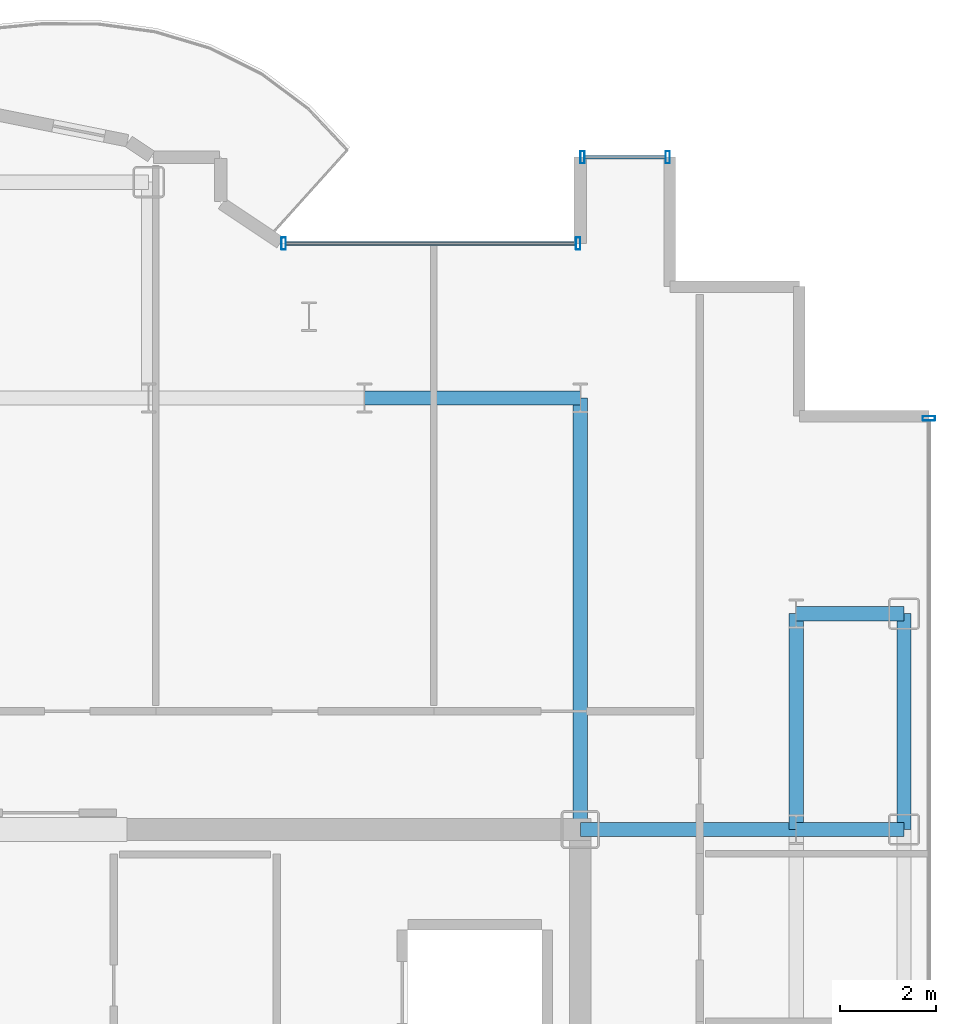
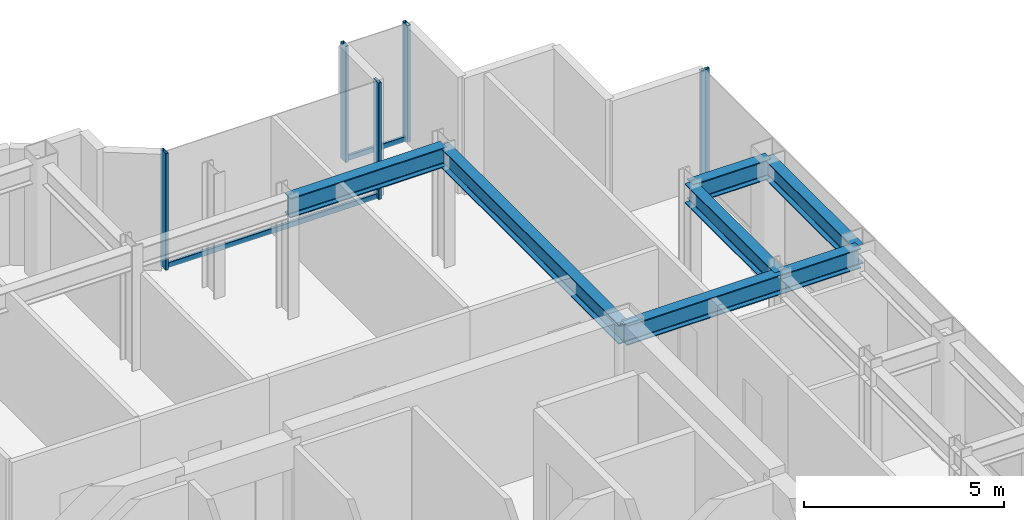
# One storey, part 11 of 18: 7 beams, 7 members, 3 elements without a shape of their own.
"""IFC4 building model written with IfcOpenShell, lengths in metres."""

from ifc_helpers import new_model, si_unit, direction, frame, origin, origin_2d, place, context, subcontext, project, spatial, hollow_rectangle, i_section, extrude, source, transform, mapped, material, layer, layer_set, material_profile, profile_set, type_object, element, aggregate, save


model = new_model("IFC4")

# Units and contexts
model_context = context("Model", 3, precision=1e-05, world=origin(), true_north=direction((0.0, 1.0)))
body_context = subcontext(model_context, "Body", "Model", "MODEL_VIEW")
ifc_project = project(units=[si_unit("LENGTHUNIT", "METRE"), si_unit("AREAUNIT", "SQUARE_METRE"), si_unit("VOLUMEUNIT", "CUBIC_METRE"), si_unit("PLANEANGLEUNIT", "RADIAN"), si_unit("MASSUNIT", "GRAM", prefix="KILO")], contexts=[model_context])

# Site, building, storey
site_placement = place(None, origin())
site = spatial("IfcSite", under=ifc_project, at=site_placement, CompositionType="ELEMENT")
building_placement = place(site_placement, origin())
building = spatial("IfcBuilding", under=site, at=building_placement, Name="Nefas-Gora Pilgrimage Tower", CompositionType="ELEMENT")
storey_placement = place(building_placement, frame((0.0, 0.0, 272.199951171875)))
storey = spatial("IfcBuildingStorey", under=building, at=storey_placement, Name="L68", CompositionType="ELEMENT", Elevation=272.199951171875)

# Beams
ifc_material_1 = material(Name="Steel S355", Category="steel")
ifc_material_profile_1 = material_profile(ifc_material_1, i_section(OverallWidth=0.300048828125, OverallDepth=0.60009765625, WebThickness=0.015380859375, FlangeThickness=0.030029296875, FilletRadius=0.027099609375, at=origin_2d()), Name="HEB 600")
ifc_profile_set_1 = profile_set([ifc_material_profile_1], Name="Steel S355")
beam_type_1 = type_object("IfcBeamType", Name="BM-SPN-HEB450", PredefinedType="SPANDREL", material=ifc_profile_set_1)
shared_shape_1 = source(origin(), body_context, "Body", "SweptSolid", [
    extrude(i_section(OverallWidth=0.300048828125, OverallDepth=0.60009765625, WebThickness=0.015380859375, FlangeThickness=0.030029296875, FilletRadius=0.027099609375, at=origin_2d()), origin(), (0.0, 0.0, 1.0), 4.5),
])
beam_1_placement = place(storey_placement, frame((18.0, 9.0, 3.25), z_axis=(0.0, 1.0, 0.0), x_axis=(-1.0, 0.0, 0.0)))
element("IfcBeam", 1, at=beam_1_placement, inside=storey, type_object=beam_type_1, Name="L68 SP-03 beam", PredefinedType="SPANDREL", context=body_context, shape_type="MappedRepresentation", body=[
    mapped(shared_shape_1, transform((0.0, 0.0, 0.0), x_axis=(1.0, 0.0, 0.0), y_axis=(0.0, 1.0, 0.0), z_axis=(0.0, 0.0, 1.0), scale=1.0)),
])
ifc_material_profile_2 = material_profile(ifc_material_1, i_section(OverallWidth=0.300048828125, OverallDepth=0.60009765625, WebThickness=0.015380859375, FlangeThickness=0.030029296875, FilletRadius=0.027099609375, at=origin_2d()), Name="HEB 600")
ifc_profile_set_2 = profile_set([ifc_material_profile_2], Name="Steel S355")
beam_type_2 = type_object("IfcBeamType", Name="BM-GIR-HEB600", PredefinedType="BEAM", material=ifc_profile_set_2)
shared_shape_2 = source(origin(), body_context, "Body", "SweptSolid", [
    extrude(i_section(OverallWidth=0.300048828125, OverallDepth=0.60009765625, WebThickness=0.015380859375, FlangeThickness=0.030029296875, FilletRadius=0.027099609375, at=origin_2d()), origin(), (0.0, 0.0, 1.0), 9.0),
])
beam_2_placement = place(storey_placement, frame((11.25, 9.0, 3.25), z_axis=(0.0, 1.0, 0.0), x_axis=(-1.0, 0.0, 0.0)))
element("IfcBeam", 2, at=beam_2_placement, inside=storey, type_object=beam_type_2, Name="L68 G-04 beam", PredefinedType="BEAM", context=body_context, shape_type="MappedRepresentation", body=[
    mapped(shared_shape_2, transform((0.0, 0.0, 0.0), x_axis=(1.0, 0.0, 0.0), y_axis=(0.0, 1.0, 0.0), z_axis=(0.0, 0.0, 1.0), scale=1.0)),
])
shared_shape_3 = source(origin(), body_context, "Body", "SweptSolid", [
    extrude(i_section(OverallWidth=0.300048828125, OverallDepth=0.60009765625, WebThickness=0.015380859375, FlangeThickness=0.030029296875, FilletRadius=0.027099609375, at=origin_2d()), origin(), (0.0, 0.0, 1.0), 4.5),
])
for number, where, z_axis, x_axis, name in (
    (3, (6.75, 18.0, 3.25), (1.0, 0.0, 0.0), (0.0, 1.0, 0.0), "L68 G-04 beam"),
    (4, (11.25, 9.0, 3.25), (1.0, 0.0, 0.0), (0.0, 1.0, 0.0), "L68 G-04 beam"),
    (5, (15.75, 9.0, 3.25), (0.0, 1.0, 0.0), (-1.0, 0.0, 0.0), "L68 G-04 beam"),
):
    element("IfcBeam", number, at=place(storey_placement, frame(where, z_axis=z_axis, x_axis=x_axis)), inside=storey, type_object=beam_type_2, Name=name, PredefinedType="BEAM", context=body_context, shape_type="MappedRepresentation", body=[
        mapped(shared_shape_3, transform((0.0, 0.0, 0.0), x_axis=(1.0, 0.0, 0.0), y_axis=(0.0, 1.0, 0.0), z_axis=(0.0, 0.0, 1.0), scale=1.0)),
    ])
shared_shape_4 = source(origin(), body_context, "Body", "SweptSolid", [
    extrude(i_section(OverallWidth=0.300048828125, OverallDepth=0.60009765625, WebThickness=0.015380859375, FlangeThickness=0.030029296875, FilletRadius=0.027099609375, at=origin_2d()), origin(), (0.0, 0.0, 1.0), 2.25),
])
for number, where, z_axis, x_axis, name in (
    (6, (15.75, 9.0, 3.25), (1.0, 0.0, 0.0), (0.0, 1.0, 0.0), "L68 G-04 beam"),
    (7, (15.75, 13.5, 3.25), (1.0, 0.0, 0.0), (0.0, 1.0, 0.0), "L68 G-04 beam"),
):
    element("IfcBeam", number, at=place(storey_placement, frame(where, z_axis=z_axis, x_axis=x_axis)), inside=storey, type_object=beam_type_2, Name=name, PredefinedType="BEAM", context=body_context, shape_type="MappedRepresentation", body=[
        mapped(shared_shape_4, transform((0.0, 0.0, 0.0), x_axis=(1.0, 0.0, 0.0), y_axis=(0.0, 1.0, 0.0), z_axis=(0.0, 0.0, 1.0), scale=1.0)),
    ])

# Curtain wall, members
ifc_material_2 = material(Name="Dark ceramic-fritted solar-control aluminium-glass curtain wall", Category="aluminium")
ifc_layer_1 = layer(ifc_material_2, 0.219970703125)
ifc_layer_set_1 = layer_set([ifc_layer_1], Name="Dark ceramic-fritted solar-control aluminium-glass curtain wall")
curtain_wall_type_1 = type_object("IfcCurtainWallType", Name="CW-SYS-5", PredefinedType="NOTDEFINED", material=ifc_layer_set_1)
curtain_wall_1_placement = place(storey_placement, origin())
curtain_wall_1 = element("IfcCurtainWall", 8, at=curtain_wall_1_placement, inside=storey, type_object=curtain_wall_type_1, Name="L68 Unitised Curtain Wall CW5", PredefinedType="NOTDEFINED")
ifc_material_3 = material(Name="Anodised architectural aluminium", Category="aluminium")
ifc_material_profile_3 = material_profile(ifc_material_3, hollow_rectangle(XDim=0.090087890625, YDim=0.260009765625, WallThickness=0.006103515625, InnerFilletRadius=0.006103515625, OuterFilletRadius=0.011962890625, at=origin_2d()), Name="ALU MULLION 90x260")
ifc_profile_set_3 = profile_set([ifc_material_profile_3], Name="Anodised architectural aluminium")
member_type_1 = type_object("IfcMemberType", Name="CWM-MUL-5", PredefinedType="MULLION", material=ifc_profile_set_3)
shared_shape_5 = source(origin(), body_context, "Body", "SweptSolid", [
    extrude(hollow_rectangle(XDim=0.090087890625, YDim=0.260009765625, WallThickness=0.006103515625, InnerFilletRadius=0.006103515625, OuterFilletRadius=0.011962890625, at=origin_2d()), origin(), (0.0, 0.0, 1.0), 3.550048828125),
])
member_1_placement = place(storey_placement, frame((11.205078125, 21.219970703125, 0.0), z_axis=(0.0, 0.0, 1.0), x_axis=(-1.0, 0.0, 0.0)))
member_1 = element("IfcMember", 9, at=member_1_placement, type_object=member_type_1, Name="CW5 Mullion 1", PredefinedType="MULLION", context=body_context, shape_type="MappedRepresentation", body=[
    mapped(shared_shape_5, transform((0.0, 0.0, 0.0), x_axis=(1.0, 0.0, 0.0), y_axis=(0.0, 1.0, 0.0), z_axis=(0.0, 0.0, 1.0), scale=1.0)),
])
member_2_placement = place(storey_placement, frame((5.06298828125, 21.219970703125, 0.0), z_axis=(0.0, 0.0, 1.0), x_axis=(-1.0, 0.0, 0.0)))
member_2 = element("IfcMember", 10, at=member_2_placement, type_object=member_type_1, Name="CW5 Mullion 2", PredefinedType="MULLION", context=body_context, shape_type="MappedRepresentation", body=[
    mapped(shared_shape_5, transform((0.0, 0.0, 0.0), x_axis=(1.0, 0.0, 0.0), y_axis=(0.0, 1.0, 0.0), z_axis=(0.0, 0.0, 1.0), scale=1.0)),
])
ifc_material_profile_4 = material_profile(ifc_material_3, hollow_rectangle(XDim=0.080078125, YDim=0.159912109375, WallThickness=0.00439453125, InnerFilletRadius=0.00439453125, OuterFilletRadius=0.009033203125, at=origin_2d()), Name="ALU TRANSOM 80x160")
ifc_profile_set_4 = profile_set([ifc_material_profile_4], Name="Anodised architectural aluminium")
member_type_2 = type_object("IfcMemberType", Name="CWM-TRN-5", PredefinedType="USERDEFINED", material=ifc_profile_set_4)
shared_shape_6 = source(origin(), body_context, "Body", "SweptSolid", [
    extrude(hollow_rectangle(XDim=0.080078125, YDim=0.159912109375, WallThickness=0.00439453125, InnerFilletRadius=0.00439453125, OuterFilletRadius=0.009033203125, at=origin_2d()), origin(), (0.0, 0.0, 1.0), 6.052001953125),
])
member_3_placement = place(storey_placement, frame((11.159912109375, 21.219970703125, 0.050048828125), z_axis=(-1.0, 0.0, 0.0), x_axis=(0.0, -1.0, 0.0)))
member_3 = element("IfcMember", 11, at=member_3_placement, type_object=member_type_2, Name="CW5 Spandrel Transom", ObjectType="TRANSOM", PredefinedType="USERDEFINED", context=body_context, shape_type="MappedRepresentation", body=[
    mapped(shared_shape_6, transform((0.0, 0.0, 0.0), x_axis=(1.0, 0.0, 0.0), y_axis=(0.0, 1.0, 0.0), z_axis=(0.0, 0.0, 1.0), scale=1.0)),
])
aggregate(curtain_wall_1, [member_1, member_2, member_3])

# Curtain wall, member
ifc_layer_2 = layer(ifc_material_2, 0.219970703125)
ifc_layer_set_2 = layer_set([ifc_layer_2], Name="Dark ceramic-fritted solar-control aluminium-glass curtain wall")
curtain_wall_type_2 = type_object("IfcCurtainWallType", Name="CW-SYS-4", PredefinedType="NOTDEFINED", material=ifc_layer_set_2)
curtain_wall_2_placement = place(storey_placement, origin())
curtain_wall_2 = element("IfcCurtainWall", 12, at=curtain_wall_2_placement, inside=storey, type_object=curtain_wall_type_2, Name="L68 Unitised Curtain Wall CW4", PredefinedType="NOTDEFINED")
ifc_material_profile_5 = material_profile(ifc_material_3, hollow_rectangle(XDim=0.080078125, YDim=0.159912109375, WallThickness=0.00439453125, InnerFilletRadius=0.00439453125, OuterFilletRadius=0.009033203125, at=origin_2d()), Name="ALU TRANSOM 80x160")
ifc_profile_set_5 = profile_set([ifc_material_profile_5], Name="Anodised architectural aluminium")
member_type_3 = type_object("IfcMemberType", Name="CWM-TRN-4", PredefinedType="USERDEFINED", material=ifc_profile_set_5)
shared_shape_7 = source(origin(), body_context, "Body", "SweptSolid", [
    extrude(hollow_rectangle(XDim=0.080078125, YDim=0.159912109375, WallThickness=0.00439453125, InnerFilletRadius=0.00439453125, OuterFilletRadius=0.009033203125, at=origin_2d()), origin(), (0.0, 0.0, 1.0), 1.68994140625),
])
member_4_placement = place(storey_placement, frame((13.030029296875, 23.02001953125, 0.050048828125), z_axis=(-1.0, 0.0, 0.0), x_axis=(0.0, -1.0, 0.0)))
member_4 = element("IfcMember", 13, at=member_4_placement, type_object=member_type_3, Name="CW4 Spandrel Transom", ObjectType="TRANSOM", PredefinedType="USERDEFINED", context=body_context, shape_type="MappedRepresentation", body=[
    mapped(shared_shape_7, transform((0.0, 0.0, 0.0), x_axis=(1.0, 0.0, 0.0), y_axis=(0.0, 1.0, 0.0), z_axis=(0.0, 0.0, 1.0), scale=1.0)),
])

curtain_wall_3_placement = place(storey_placement, origin())
curtain_wall_3 = element("IfcCurtainWall", 14, at=curtain_wall_3_placement, inside=storey, type_object=curtain_wall_type_2, Name="L68 Unitised Curtain Wall CW4", PredefinedType="NOTDEFINED")
ifc_material_profile_6 = material_profile(ifc_material_3, hollow_rectangle(XDim=0.090087890625, YDim=0.260009765625, WallThickness=0.006103515625, InnerFilletRadius=0.006103515625, OuterFilletRadius=0.011962890625, at=origin_2d()), Name="ALU MULLION 90x260")
ifc_profile_set_6 = profile_set([ifc_material_profile_6], Name="Anodised architectural aluminium")
member_type_4 = type_object("IfcMemberType", Name="CWM-MUL-4", PredefinedType="MULLION", material=ifc_profile_set_6)
shared_shape_8 = source(origin(), body_context, "Body", "SweptSolid", [
    extrude(hollow_rectangle(XDim=0.090087890625, YDim=0.260009765625, WallThickness=0.006103515625, InnerFilletRadius=0.006103515625, OuterFilletRadius=0.011962890625, at=origin_2d()), origin(), (0.0, 0.0, 1.0), 3.550048828125),
])
member_5_placement = place(storey_placement, frame((18.52001953125, 17.574951171875, 0.0), z_axis=(0.0, 0.0, 1.0), x_axis=(0.0, 1.0, 0.0)))
member_5 = element("IfcMember", 15, at=member_5_placement, type_object=member_type_4, Name="CW4 Mullion 3", PredefinedType="MULLION", context=body_context, shape_type="MappedRepresentation", body=[
    mapped(shared_shape_8, transform((0.0, 0.0, 0.0), x_axis=(1.0, 0.0, 0.0), y_axis=(0.0, 1.0, 0.0), z_axis=(0.0, 0.0, 1.0), scale=1.0)),
])
aggregate(curtain_wall_3, [member_5])

# Member
member_6_placement = place(storey_placement, frame((13.074951171875, 23.02001953125, 0.0), z_axis=(0.0, 0.0, 1.0), x_axis=(-1.0, 0.0, 0.0)))
member_6 = element("IfcMember", 16, at=member_6_placement, type_object=member_type_4, Name="CW4 Mullion 1", PredefinedType="MULLION", context=body_context, shape_type="MappedRepresentation", body=[
    mapped(shared_shape_8, transform((0.0, 0.0, 0.0), x_axis=(1.0, 0.0, 0.0), y_axis=(0.0, 1.0, 0.0), z_axis=(0.0, 0.0, 1.0), scale=1.0)),
])

member_7_placement = place(storey_placement, frame((11.294921875, 23.02001953125, 0.0), z_axis=(0.0, 0.0, 1.0), x_axis=(-1.0, 0.0, 0.0)))
member_7 = element("IfcMember", 17, at=member_7_placement, type_object=member_type_4, Name="CW4 Mullion 2", PredefinedType="MULLION", context=body_context, shape_type="MappedRepresentation", body=[
    mapped(shared_shape_8, transform((0.0, 0.0, 0.0), x_axis=(1.0, 0.0, 0.0), y_axis=(0.0, 1.0, 0.0), z_axis=(0.0, 0.0, 1.0), scale=1.0)),
])

aggregate(curtain_wall_2, [member_6, member_7, member_4])

save(model, "model.ifc")
